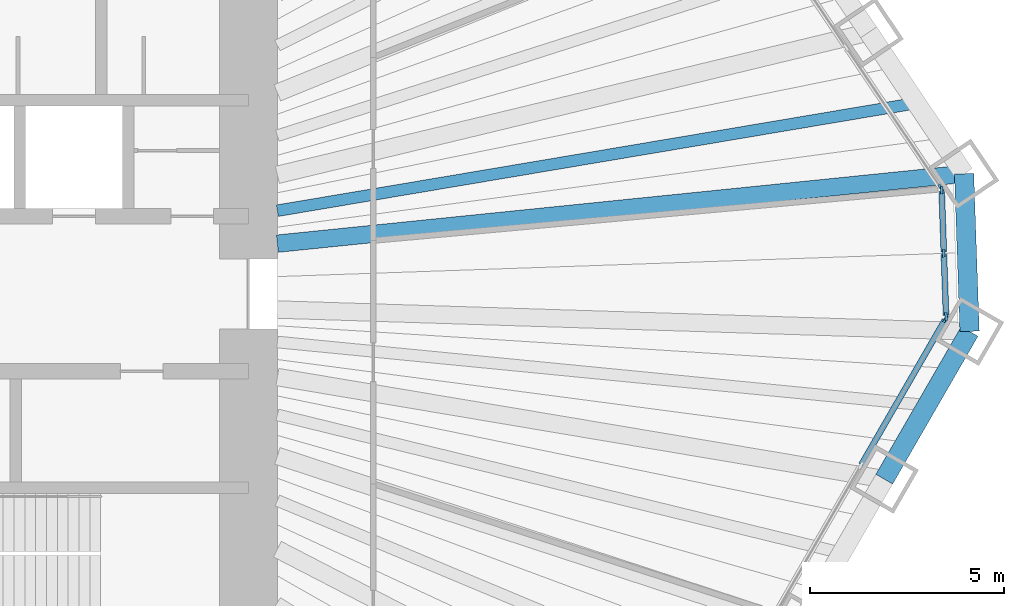
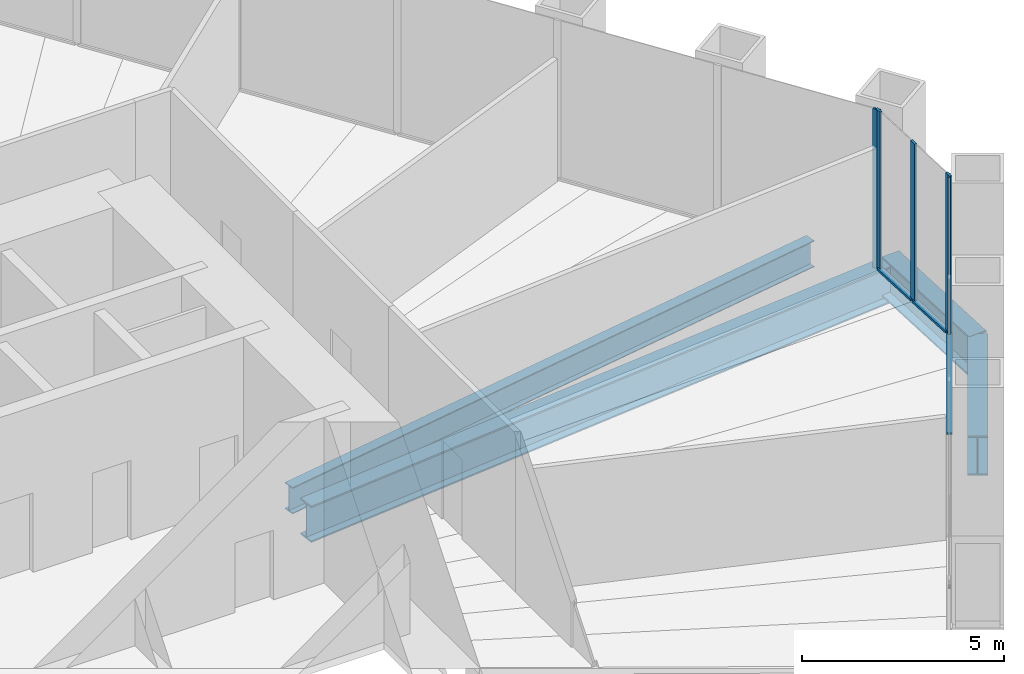
# One storey, part 5 of 13: 8 members, 4 beams, 3 elements without a shape of their own.
"""IFC4 building model written with IfcOpenShell, lengths in metres."""

from ifc_helpers import new_model, si_unit, direction, frame, origin, origin_2d, place, context, subcontext, project, spatial, rectangle, i_section, extrude, material, material_profile, profile_set, type_object, element, aggregate, save


model = new_model("IFC4")

# Units and contexts
model_context = context("Model", 3, precision=1e-05, world=origin(), true_north=direction((0.0, 1.0)))
body_context = subcontext(model_context, "Body", "Model", "MODEL_VIEW")
ifc_project = project(units=[si_unit("LENGTHUNIT", "METRE"), si_unit("AREAUNIT", "SQUARE_METRE"), si_unit("VOLUMEUNIT", "CUBIC_METRE"), si_unit("PLANEANGLEUNIT", "RADIAN"), si_unit("MASSUNIT", "GRAM", prefix="KILO")], contexts=[model_context])

# Site, building, storey
site_placement = place(None, origin())
site = spatial("IfcSite", under=ifc_project, at=site_placement, CompositionType="ELEMENT")
building_placement = place(site_placement, origin())
building = spatial("IfcBuilding", under=site, at=building_placement, Name="Qingtian Harvest Tower", CompositionType="ELEMENT")
storey_placement = place(building_placement, frame((0.0, 0.0, 67.0)))
storey = spatial("IfcBuildingStorey", under=building, at=storey_placement, Name="L13", CompositionType="ELEMENT", Elevation=67.0)

# Beams
ifc_material_1 = material(Name="Steel SM570MC", Category="steel")
ifc_material_profile_1 = material_profile(ifc_material_1, i_section(OverallWidth=0.449951171875, OverallDepth=1.10009765625, WebThickness=0.02197265625, FlangeThickness=0.044921875, at=origin_2d()), Name="H1100x450x22x45")
ifc_profile_set_1 = profile_set([ifc_material_profile_1], Name="Steel SM570MC")
beam_type_1 = type_object("IfcBeamType", Name="Corner floor beam FB8 H1100x450x22x45", PredefinedType="BEAM", material=ifc_profile_set_1)
beam_1_placement = place(storey_placement, frame((30.476318359375, 3.100830078125, -0.75), z_axis=(-0.994864371567, -0.101217005423, 0.0), x_axis=(0.101217005423, -0.994864371567, 0.0)))
element("IfcBeam", 1, at=beam_1_placement, inside=storey, type_object=beam_type_1, Name="Floor beam FB8 NE6", PredefinedType="BEAM", context=body_context, shape_type="SweptSolid", body=[
    extrude(i_section(OverallWidth=0.449951171875, OverallDepth=1.10009765625, WebThickness=0.02197265625, FlangeThickness=0.044921875, at=origin_2d()), origin(), (0.0, 0.0, 1.0), 17.81787109375),
])
ifc_material_2 = material(Name="Steel SN490B", Category="steel")
ifc_material_profile_2 = material_profile(ifc_material_2, i_section(OverallWidth=0.300048828125, OverallDepth=0.800048828125, WebThickness=0.013916015625, FlangeThickness=0.02587890625, at=origin_2d()), Name="H800x300x14x26")
ifc_profile_set_2 = profile_set([ifc_material_profile_2], Name="Steel SN490B")
beam_type_2 = type_object("IfcBeamType", Name="Floor joist J1 H800x300x14x26", PredefinedType="JOIST", material=ifc_profile_set_2)
beam_2_placement = place(storey_placement, frame((29.244873046875, 4.926513671875, -0.60009765625), z_axis=(-0.986107238024, -0.166109948877, 0.0), x_axis=(0.166109948877, -0.986107238024, 0.0)))
element("IfcBeam", 2, at=beam_2_placement, inside=storey, type_object=beam_type_2, Name="Floor joist J1 NE5", PredefinedType="JOIST", context=body_context, shape_type="SweptSolid", body=[
    extrude(i_section(OverallWidth=0.300048828125, OverallDepth=0.800048828125, WebThickness=0.013916015625, FlangeThickness=0.02587890625, at=origin_2d()), origin(), (0.0, 0.0, 1.0), 16.727294921875),
])

# Curtain wall, member
ifc_material_3 = material(Name="Bronze-anodised aluminium curtain wall", Category="aluminium")
curtain_wall_type = type_object("IfcCurtainWallType", Name="Curtain wall CW2 farm reception", PredefinedType="USERDEFINED", material=ifc_material_3)
curtain_wall_1_placement = place(storey_placement, origin())
curtain_wall_1 = element("IfcCurtainWall", 3, at=curtain_wall_1_placement, inside=storey, type_object=curtain_wall_type, Name="Curtain wall CW2 L13 NE0-5", ObjectType="RECESSED CURTAIN WALL", PredefinedType="USERDEFINED")
ifc_material_4 = material(Name="Bronze-anodised aluminium mullion", Category="aluminium")
ifc_material_profile_3 = material_profile(ifc_material_4, rectangle(XDim=0.06494140625, YDim=0.199951171875, at=origin_2d()), Name="AL 65x200")
ifc_profile_set_3 = profile_set([ifc_material_profile_3], Name="Bronze-anodised aluminium mullion")
member_type_1 = type_object("IfcMemberType", Name="Mullion CWM 65x200", PredefinedType="MULLION", material=ifc_profile_set_3)
member_1_placement = place(storey_placement, frame((29.8779296875, 2.736328125, 0.0), z_axis=(0.0, 0.0, 1.0), x_axis=(0.829037572555, 0.559192903471, 0.0)))
member_1 = element("IfcMember", 4, at=member_1_placement, type_object=member_type_1, Name="CW2 mullion 7", PredefinedType="MULLION", context=body_context, shape_type="SweptSolid", body=[
    extrude(rectangle(XDim=0.06494140625, YDim=0.199951171875, at=origin_2d()), origin(), (0.0, 0.0, 1.0), 4.800048828125),
])
aggregate(curtain_wall_1, [member_1])

# Curtain wall, members
curtain_wall_2_placement = place(storey_placement, origin())
curtain_wall_2 = element("IfcCurtainWall", 5, at=curtain_wall_2_placement, inside=storey, type_object=curtain_wall_type, Name="Curtain wall CW2 L13 NEC", ObjectType="RECESSED CURTAIN WALL", PredefinedType="USERDEFINED")
member_2_placement = place(storey_placement, frame((29.897216796875, 2.677001953125, 0.0), z_axis=(0.0, 0.0, 1.0), x_axis=(0.999390827019, 0.034899496703, 0.0)))
member_2 = element("IfcMember", 6, at=member_2_placement, type_object=member_type_1, Name="CW2 mullion 1", PredefinedType="MULLION", context=body_context, shape_type="SweptSolid", body=[
    extrude(rectangle(XDim=0.06494140625, YDim=0.199951171875, at=origin_2d()), origin(), (0.0, 0.0, 1.0), 4.800048828125),
])
member_3_placement = place(storey_placement, frame((29.9541015625, 1.046142578125, 0.0), z_axis=(0.0, 0.0, 1.0), x_axis=(0.999390827019, 0.034899496703, 0.0)))
member_3 = element("IfcMember", 7, at=member_3_placement, type_object=member_type_1, Name="CW2 mullion 2", PredefinedType="MULLION", context=body_context, shape_type="SweptSolid", body=[
    extrude(rectangle(XDim=0.06494140625, YDim=0.199951171875, at=origin_2d()), origin(), (0.0, 0.0, 1.0), 4.800048828125),
])
member_4_placement = place(storey_placement, frame((30.010986328125, -0.5849609375, 0.0), z_axis=(0.0, 0.0, 1.0), x_axis=(0.999390827019, 0.034899496703, 0.0)))
member_4 = element("IfcMember", 8, at=member_4_placement, type_object=member_type_1, Name="CW2 mullion 3", PredefinedType="MULLION", context=body_context, shape_type="SweptSolid", body=[
    extrude(rectangle(XDim=0.06494140625, YDim=0.199951171875, at=origin_2d()), origin(), (0.0, 0.0, 1.0), 4.800048828125),
])

# Curtain wall, member
curtain_wall_3_placement = place(storey_placement, origin())
curtain_wall_3 = element("IfcCurtainWall", 9, at=curtain_wall_3_placement, inside=storey, type_object=curtain_wall_type, Name="Curtain wall CW2 L13 SE0-5", ObjectType="RECESSED CURTAIN WALL", PredefinedType="USERDEFINED")
member_5_placement = place(storey_placement, frame((29.995849609375, -0.6455078125, 0.0), z_axis=(0.0, 0.0, 1.0), x_axis=(0.866025403784, -0.5, 0.0)))
member_5 = element("IfcMember", 10, at=member_5_placement, type_object=member_type_1, Name="CW2 mullion 1", PredefinedType="MULLION", context=body_context, shape_type="SweptSolid", body=[
    extrude(rectangle(XDim=0.06494140625, YDim=0.199951171875, at=origin_2d()), origin(), (0.0, 0.0, 1.0), 4.800048828125),
])

# Beams
ifc_material_5 = material(Name="Steel SM570MC", Category="steel")
ifc_material_profile_4 = material_profile(ifc_material_5, i_section(OverallWidth=0.5, OverallDepth=1.199951171875, WebThickness=0.02490234375, FlangeThickness=0.050048828125, at=origin_2d()), Name="H1200x500x25x50")
ifc_profile_set_4 = profile_set([ifc_material_profile_4], Name="Steel SM570MC")
beam_type_3 = type_object("IfcBeamType", Name="Spandrel beam SB1 H1200x500x25x50", PredefinedType="SPANDREL", material=ifc_profile_set_4)
beam_3_placement = place(storey_placement, frame((30.476318359375, 3.100830078125, -0.60009765625), z_axis=(0.03490639867, -0.999390585973, 0.0), x_axis=(0.999390585973, 0.03490639867, 0.0)))
element("IfcBeam", 11, at=beam_3_placement, inside=storey, type_object=beam_type_3, Name="Spandrel SB1 NEC", PredefinedType="SPANDREL", context=body_context, shape_type="SweptSolid", body=[
    extrude(i_section(OverallWidth=0.5, OverallDepth=1.199951171875, WebThickness=0.02490234375, FlangeThickness=0.050048828125, at=origin_2d()), origin(), (0.0, 0.0, 1.0), 4.070556640625),
])
beam_4_placement = place(storey_placement, frame((30.618408203125, -0.96728515625, -0.60009765625), z_axis=(-0.50001992892, -0.866013897511, 0.0), x_axis=(0.866013897511, -0.50001992892, 0.0)))
element("IfcBeam", 12, at=beam_4_placement, inside=storey, type_object=beam_type_3, Name="Spandrel SB1 SE0", PredefinedType="SPANDREL", context=body_context, shape_type="SweptSolid", body=[
    extrude(i_section(OverallWidth=0.5, OverallDepth=1.199951171875, WebThickness=0.02490234375, FlangeThickness=0.050048828125, at=origin_2d()), origin(), (0.0, 0.0, 1.0), 4.404541015625),
])

# Member
ifc_material_6 = material(Name="Bronze-anodised aluminium transom", Category="aluminium")
ifc_material_profile_5 = material_profile(ifc_material_6, rectangle(XDim=0.14990234375, YDim=0.06494140625, at=origin_2d()), Name="AL 65x150")
ifc_profile_set_5 = profile_set([ifc_material_profile_5], Name="Bronze-anodised aluminium transom")
member_type_2 = type_object("IfcMemberType", Name="Transom CWT 65x150", PredefinedType="USERDEFINED", material=ifc_profile_set_5)
member_6_placement = place(storey_placement, frame((29.898193359375, 2.64453125, 0.032470703125), z_axis=(0.034902326647, -0.999390728191, 0.0), x_axis=(0.999390728191, 0.034902326647, 0.0)))
member_6 = element("IfcMember", 13, at=member_6_placement, type_object=member_type_2, Name="CW2 transom 1.1", ObjectType="TRANSOM", PredefinedType="USERDEFINED", context=body_context, shape_type="SweptSolid", body=[
    extrude(rectangle(XDim=0.14990234375, YDim=0.06494140625, at=origin_2d()), origin(), (0.0, 0.0, 1.0), 1.56689453125),
])

member_7_placement = place(storey_placement, frame((29.955322265625, 1.013427734375, 0.032470703125), z_axis=(0.034902326647, -0.999390728191, 0.0), x_axis=(0.999390728191, 0.034902326647, 0.0)))
member_7 = element("IfcMember", 14, at=member_7_placement, type_object=member_type_2, Name="CW2 transom 2.1", ObjectType="TRANSOM", PredefinedType="USERDEFINED", context=body_context, shape_type="SweptSolid", body=[
    extrude(rectangle(XDim=0.14990234375, YDim=0.06494140625, at=origin_2d()), origin(), (0.0, 0.0, 1.0), 1.56689453125),
])

aggregate(curtain_wall_2, [member_2, member_3, member_4, member_6, member_7])

member_8_placement = place(storey_placement, frame((29.979736328125, -0.673583984375, 0.032470703125), z_axis=(-0.499985768833, -0.866033619997, 0.0), x_axis=(0.866033619997, -0.499985768833, 0.0)))
member_8 = element("IfcMember", 15, at=member_8_placement, type_object=member_type_2, Name="CW2 transom 1.1", ObjectType="TRANSOM", PredefinedType="USERDEFINED", context=body_context, shape_type="SweptSolid", body=[
    extrude(rectangle(XDim=0.14990234375, YDim=0.06494140625, at=origin_2d()), origin(), (0.0, 0.0, 1.0), 4.307373046875),
])

aggregate(curtain_wall_3, [member_5, member_8])

save(model, "model.ifc")
